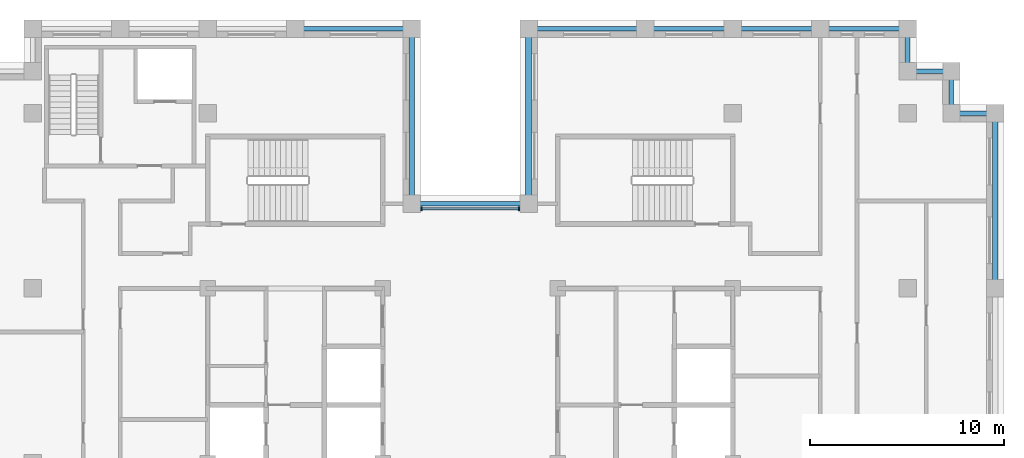
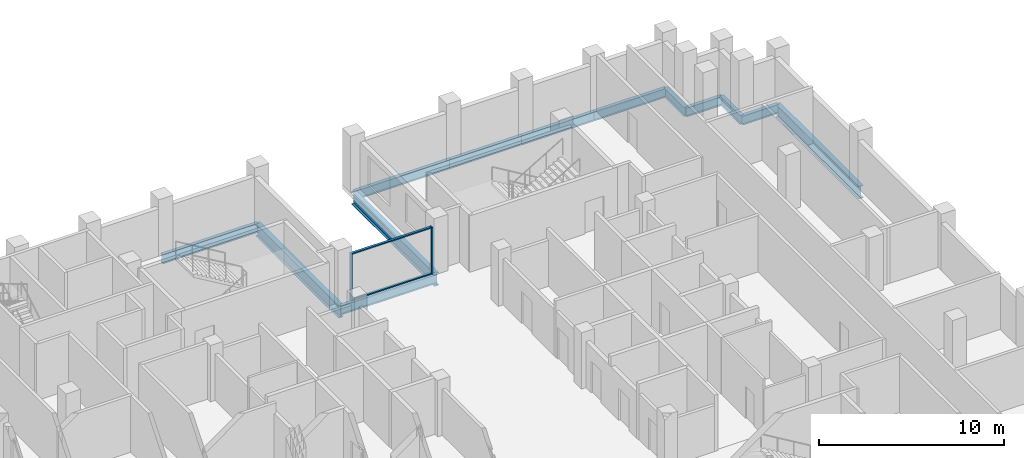
# One storey, part 4 of 13: 13 beams, 4 members, 1 element without a shape of its own.
"""IFC4 building model written with IfcOpenShell, lengths in metres."""

from ifc_helpers import new_model, si_unit, direction, frame, origin, origin_2d, place, context, subcontext, project, spatial, rectangle, i_section, extrude, material, layer, layer_set, material_profile, profile_set, type_object, element, aggregate, save


model = new_model("IFC4")

# Units and contexts
model_context = context("Model", 3, precision=1e-05, world=origin(), true_north=direction((0.0, 1.0)))
body_context = subcontext(model_context, "Body", "Model", "MODEL_VIEW")
ifc_project = project(units=[si_unit("LENGTHUNIT", "METRE"), si_unit("AREAUNIT", "SQUARE_METRE"), si_unit("VOLUMEUNIT", "CUBIC_METRE"), si_unit("PLANEANGLEUNIT", "RADIAN"), si_unit("MASSUNIT", "GRAM", prefix="KILO")], contexts=[model_context])

# Site, building, storey
site_placement = place(None, origin())
site = spatial("IfcSite", under=ifc_project, at=site_placement, CompositionType="ELEMENT")
building_placement = place(site_placement, origin())
building = spatial("IfcBuilding", under=site, at=building_placement, Name="Corbelhall Arena Tower", CompositionType="ELEMENT")
storey_placement = place(building_placement, frame((0.0, 0.0, 250.0)))
storey = spatial("IfcBuildingStorey", under=building, at=storey_placement, Name="L53", CompositionType="ELEMENT", Elevation=250.0)

# Curtain wall, members
ifc_material_1 = material(Name="Aluminium black anodised", Category="aluminium")
ifc_layer = layer(ifc_material_1, 0.199951171875)
ifc_layer_set = layer_set([ifc_layer], Name="EV-CW1 Slot back wall")
curtain_wall_type = type_object("IfcCurtainWallType", Name="EV-CW1 Slot back wall", PredefinedType="NOTDEFINED", material=ifc_layer_set)
curtain_wall_placement = place(storey_placement, origin())
curtain_wall = element("IfcCurtainWall", 1, at=curtain_wall_placement, inside=storey, type_object=curtain_wall_type, Name="Curtain wall CW1", PredefinedType="NOTDEFINED")
ifc_material_profile_1 = material_profile(ifc_material_1, rectangle(XDim=0.199951171875, YDim=0.074951171875, at=origin_2d()))
ifc_profile_set_1 = profile_set([ifc_material_profile_1], Name="Aluminium black anodised")
member_type_1 = type_object("IfcMemberType", Name="EV-CW1-MULLION", PredefinedType="MULLION", material=ifc_profile_set_1)
member_1_placement = place(storey_placement, frame((2.512451171875, 13.10009765625, 0.0), z_axis=(0.0, 0.0, 1.0), x_axis=(0.0, -1.0, 0.0)))
member_1 = element("IfcMember", 2, at=member_1_placement, type_object=member_type_1, Name="CW1 mullion 1", PredefinedType="MULLION", context=body_context, shape_type="SweptSolid", body=[
    extrude(rectangle(XDim=0.199951171875, YDim=0.074951171875, at=origin_2d()), origin(), (0.0, 0.0, 1.0), 3.1201171875),
])
member_2_placement = place(storey_placement, frame((-2.512451171875, 13.10009765625, 0.0), z_axis=(0.0, 0.0, 1.0), x_axis=(0.0, -1.0, 0.0)))
member_2 = element("IfcMember", 3, at=member_2_placement, type_object=member_type_1, Name="CW1 mullion 2", PredefinedType="MULLION", context=body_context, shape_type="SweptSolid", body=[
    extrude(rectangle(XDim=0.199951171875, YDim=0.074951171875, at=origin_2d()), origin(), (0.0, 0.0, 1.0), 3.1201171875),
])
ifc_material_profile_2 = material_profile(ifc_material_1, rectangle(XDim=0.14990234375, YDim=0.074951171875, at=origin_2d()))
ifc_profile_set_2 = profile_set([ifc_material_profile_2], Name="Aluminium black anodised")
member_type_2 = type_object("IfcMemberType", Name="EV-CW1-TRANSOM", PredefinedType="USERDEFINED", material=ifc_profile_set_2)
member_3_placement = place(storey_placement, frame((2.47509765625, 13.10009765625, 0.03759765625), z_axis=(-1.0, 0.0, 0.0), x_axis=(0.0, -1.0, 0.0)))
member_3 = element("IfcMember", 4, at=member_3_placement, type_object=member_type_2, Name="CW1 transom 1.1", ObjectType="transom", PredefinedType="USERDEFINED", context=body_context, shape_type="SweptSolid", body=[
    extrude(rectangle(XDim=0.14990234375, YDim=0.074951171875, at=origin_2d()), origin(), (0.0, 0.0, 1.0), 4.9501953125),
])
member_4_placement = place(storey_placement, frame((2.47509765625, 13.10009765625, 3.08251953125), z_axis=(-1.0, 0.0, 0.0), x_axis=(0.0, -1.0, 0.0)))
member_4 = element("IfcMember", 5, at=member_4_placement, type_object=member_type_2, Name="CW1 transom 1.2", ObjectType="transom", PredefinedType="USERDEFINED", context=body_context, shape_type="SweptSolid", body=[
    extrude(rectangle(XDim=0.14990234375, YDim=0.074951171875, at=origin_2d()), origin(), (0.0, 0.0, 1.0), 4.9501953125),
])
aggregate(curtain_wall, [member_1, member_2, member_3, member_4])

# Beams
ifc_material_2 = material(Name="Steel ASTM A992 Gr50", Category="steel")
ifc_material_profile_3 = material_profile(ifc_material_2, i_section(OverallWidth=0.227783203125, OverallDepth=0.60205078125, WebThickness=0.010498046875, FlangeThickness=0.014892578125, at=origin_2d()))
ifc_profile_set_3 = profile_set([ifc_material_profile_3], Name="Steel ASTM A992 Gr50")
beam_type_1 = type_object("IfcBeamType", Name="ST-SPANDREL-W24x68", PredefinedType="SPANDREL", material=ifc_profile_set_3)
beam_1_placement = place(storey_placement, frame((3.0, 22.35009765625, -0.5810546875), z_axis=(1.0, 0.0, 0.0), x_axis=(0.0, 1.0, 0.0)))
element("IfcBeam", 6, at=beam_1_placement, inside=storey, type_object=beam_type_1, Name="Beam SP 6", PredefinedType="SPANDREL", context=body_context, shape_type="SweptSolid", body=[
    extrude(i_section(OverallWidth=0.227783203125, OverallDepth=0.60205078125, WebThickness=0.010498046875, FlangeThickness=0.014892578125, at=origin_2d()), origin(), (0.0, 0.0, 1.0), 6.0),
])
for number, where, z_axis, x_axis, name in (
    (7, (9.0, 22.35009765625, -0.5810546875), (1.0, 0.0, 0.0), (0.0, 1.0, 0.0), "Beam SP 7"),
    (8, (13.5, 22.35009765625, -0.5810546875), (1.0, 0.0, 0.0), (0.0, 1.0, 0.0), "Beam SP 8"),
    (9, (18.0, 22.35009765625, -0.5810546875), (1.0, 0.0, 0.0), (0.0, 1.0, 0.0), "Beam SP 9"),
):
    element("IfcBeam", number, at=place(storey_placement, frame(where, z_axis=z_axis, x_axis=x_axis)), inside=storey, type_object=beam_type_1, Name=name, PredefinedType="SPANDREL", context=body_context, shape_type="SweptSolid", body=[
        extrude(i_section(OverallWidth=0.227783203125, OverallDepth=0.60205078125, WebThickness=0.010498046875, FlangeThickness=0.014892578125, at=origin_2d()), origin(), (0.0, 0.0, 1.0), 4.5),
    ])
beam_2_placement = place(storey_placement, frame((22.5, 22.35009765625, -0.5810546875), z_axis=(0.0, -1.0, 0.0), x_axis=(1.0, 0.0, 0.0)))
element("IfcBeam", 10, at=beam_2_placement, inside=storey, type_object=beam_type_1, Name="Beam SP 10", PredefinedType="SPANDREL", context=body_context, shape_type="SweptSolid", body=[
    extrude(i_section(OverallWidth=0.227783203125, OverallDepth=0.60205078125, WebThickness=0.010498046875, FlangeThickness=0.014892578125, at=origin_2d()), origin(), (0.0, 0.0, 1.0), 2.175048828125),
])
for number, where, z_axis, x_axis, name in (
    (11, (-9.0, 22.35009765625, -0.5810546875), (1.0, 0.0, 0.0), (0.0, 1.0, 0.0), "Beam SP 12"),
    (12, (-3.0, 13.35009765625, -0.5810546875), (1.0, 0.0, 0.0), (0.0, 1.0, 0.0), "Beam SP 32"),
):
    element("IfcBeam", number, at=place(storey_placement, frame(where, z_axis=z_axis, x_axis=x_axis)), inside=storey, type_object=beam_type_1, Name=name, PredefinedType="SPANDREL", context=body_context, shape_type="SweptSolid", body=[
        extrude(i_section(OverallWidth=0.227783203125, OverallDepth=0.60205078125, WebThickness=0.010498046875, FlangeThickness=0.014892578125, at=origin_2d()), origin(), (0.0, 0.0, 1.0), 6.0),
    ])
beam_3_placement = place(storey_placement, frame((22.5, 20.175048828125, -0.5810546875), z_axis=(1.0, 0.0, 0.0), x_axis=(0.0, 1.0, 0.0)))
element("IfcBeam", 13, at=beam_3_placement, inside=storey, type_object=beam_type_1, Name="Beam SP 35", PredefinedType="SPANDREL", context=body_context, shape_type="SweptSolid", body=[
    extrude(i_section(OverallWidth=0.227783203125, OverallDepth=0.60205078125, WebThickness=0.010498046875, FlangeThickness=0.014892578125, at=origin_2d()), origin(), (0.0, 0.0, 1.0), 2.25),
])
beam_4_placement = place(storey_placement, frame((24.75, 20.175048828125, -0.5810546875), z_axis=(0.0, -1.0, 0.0), x_axis=(1.0, 0.0, 0.0)))
element("IfcBeam", 14, at=beam_4_placement, inside=storey, type_object=beam_type_1, Name="Beam SP 36", PredefinedType="SPANDREL", context=body_context, shape_type="SweptSolid", body=[
    extrude(i_section(OverallWidth=0.227783203125, OverallDepth=0.60205078125, WebThickness=0.010498046875, FlangeThickness=0.014892578125, at=origin_2d()), origin(), (0.0, 0.0, 1.0), 2.175048828125),
])
beam_5_placement = place(storey_placement, frame((24.75, 18.0, -0.5810546875), z_axis=(1.0, 0.0, 0.0), x_axis=(0.0, 1.0, 0.0)))
element("IfcBeam", 15, at=beam_5_placement, inside=storey, type_object=beam_type_1, Name="Beam SP 37", PredefinedType="SPANDREL", context=body_context, shape_type="SweptSolid", body=[
    extrude(i_section(OverallWidth=0.227783203125, OverallDepth=0.60205078125, WebThickness=0.010498046875, FlangeThickness=0.014892578125, at=origin_2d()), origin(), (0.0, 0.0, 1.0), 2.25),
])
ifc_material_profile_4 = material_profile(ifc_material_2, i_section(OverallWidth=0.2919921875, OverallDepth=0.845703125, WebThickness=0.015380859375, FlangeThickness=0.0244140625, at=origin_2d()))
ifc_profile_set_4 = profile_set([ifc_material_profile_4], Name="Steel ASTM A992 Gr50")
beam_type_2 = type_object("IfcBeamType", Name="ST-SPANDREL-W33x141", PredefinedType="SPANDREL", material=ifc_profile_set_4)
for number, where, z_axis, x_axis, name in (
    (16, (27.0, 18.0, -0.702880859375), (0.0, -1.0, 0.0), (1.0, 0.0, 0.0), "Beam SP 3"),
    (17, (-3.0, 22.35009765625, -0.702880859375), (0.0, -1.0, 0.0), (1.0, 0.0, 0.0), "Beam SP 11"),
    (18, (3.0, 13.35009765625, -0.702880859375), (0.0, 1.0, 0.0), (-1.0, 0.0, 0.0), "Beam SP 31"),
):
    element("IfcBeam", number, at=place(storey_placement, frame(where, z_axis=z_axis, x_axis=x_axis)), inside=storey, type_object=beam_type_2, Name=name, PredefinedType="SPANDREL", context=body_context, shape_type="SweptSolid", body=[
        extrude(i_section(OverallWidth=0.2919921875, OverallDepth=0.845703125, WebThickness=0.015380859375, FlangeThickness=0.0244140625, at=origin_2d()), origin(), (0.0, 0.0, 1.0), 9.0),
    ])

save(model, "model.ifc")
